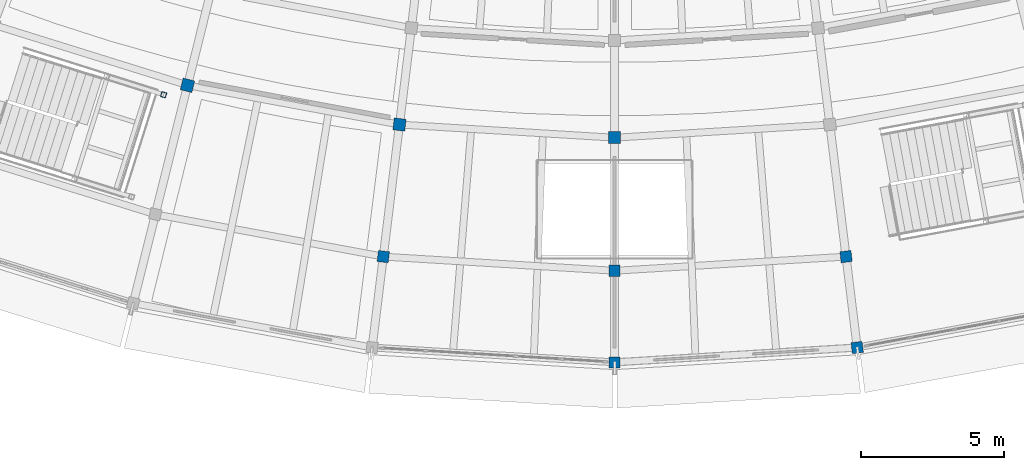
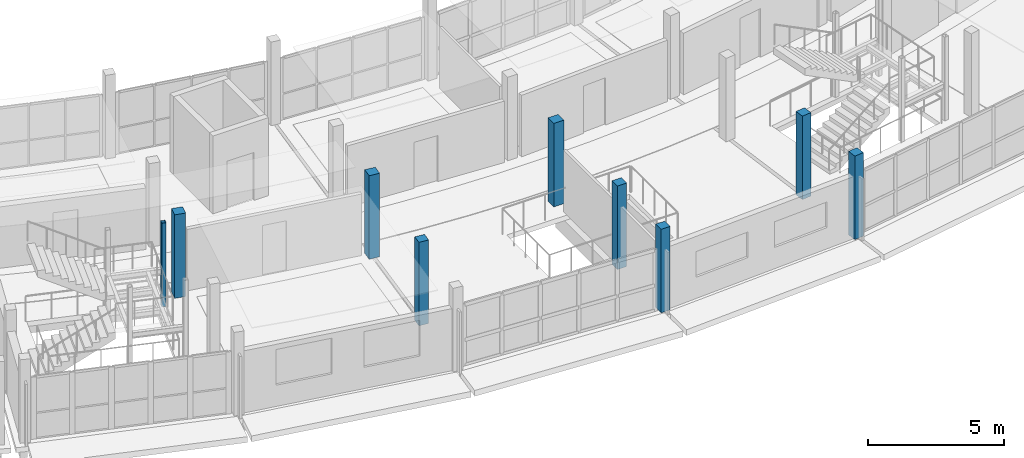
# One storey, part 6 of 66: 9 columns.
"""IFC4 building model written with IfcOpenShell, lengths in metres."""

import ifcopenshell
import ifcopenshell.guid

model = None  # the IFC model being written
_history = None  # IfcOwnerHistory: only IFC2X3 demands one
_inside = {}  # id of a spatial element -> (the spatial element, [elements in it])
_under = {}  # id of a project, library or spatial element -> (it, [spatial elements below it])
_declared = {}  # id of a project -> (the project, [libraries it declares])
_typed = {}  # id of a type object -> (the type object, [elements of that type])
_made_of = {}  # id of a material, layer set ... -> (it, [elements and type objects made of it])


def new_model(schema):
    """Start an empty IFC model of exactly this schema.

    Asked for "IFC4X3", IfcOpenShell would pick the latest addendum, in which some entities
    have other attributes; the version numbers below select the first issue.
    IFC2X3 requires an IfcOwnerHistory on every rooted entity: one is made here for all.
    """
    global model, _history
    if schema == "IFC4X3":
        model = ifcopenshell.file(schema_version=(4, 3, 0, 0))
    else:
        model = ifcopenshell.file(schema=schema)
    _inside.clear()
    _under.clear()
    _declared.clear()
    _typed.clear()
    _made_of.clear()
    _history = None
    if model.schema == "IFC2X3":
        org = make("IfcOrganization", Name="unknown")
        user = make(
            "IfcPersonAndOrganization",
            ThePerson=make("IfcPerson", FamilyName="unknown"),
            TheOrganization=org,
        )
        app = make(
            "IfcApplication",
            ApplicationDeveloper=org,
            Version="unknown",
            ApplicationFullName="unknown",
            ApplicationIdentifier="unknown",
        )
        _history = make(
            "IfcOwnerHistory",
            OwningUser=user,
            OwningApplication=app,
            ChangeAction="ADDED",
            CreationDate=0,
        )
    return model


def make(cls, **values):
    """One entity of the class cls with the attributes given. An attribute that is None is left unset."""
    return model.create_entity(
        cls, **{name: value for name, value in values.items() if value is not None}
    )


def rooted(cls, **values):
    """An entity with a GlobalId (a new one), such as an element, a storey or a relation."""
    return make(cls, GlobalId=ifcopenshell.guid.new(), OwnerHistory=_history, **values)


def si_unit(unit_type, name, prefix=None):
    """IfcSIUnit, for example si_unit("LENGTHUNIT", "METRE", prefix="MILLI")."""
    return make("IfcSIUnit", UnitType=unit_type, Prefix=prefix, Name=name)


def assignment(units):
    """IfcUnitAssignment: the units of a project."""
    return None if units is None else make("IfcUnitAssignment", Units=units)


def point(xyz):
    """IfcCartesianPoint."""
    return None if xyz is None else make("IfcCartesianPoint", Coordinates=xyz)


def direction(xyz):
    """IfcDirection."""
    return None if xyz is None else make("IfcDirection", DirectionRatios=xyz)


def frame(location, z_axis=None, x_axis=None):
    """IfcAxis2Placement3D, a coordinate frame: its origin and axes. An axis left out is left unset."""
    return make(
        "IfcAxis2Placement3D",
        Location=point(location),
        Axis=direction(z_axis),
        RefDirection=direction(x_axis),
    )


def frame_2d(location, x_axis=None):
    """IfcAxis2Placement2D, a coordinate frame in the plane: its origin and x axis."""
    return make(
        "IfcAxis2Placement2D", Location=point(location), RefDirection=direction(x_axis)
    )


def origin():
    """The frame at (0, 0, 0) with its axes left unset."""
    return frame((0.0, 0.0, 0.0))


def origin_2d():
    """The frame at (0, 0) in the plane with its x axis left unset."""
    return frame_2d((0.0, 0.0))


def place(relative_to, where):
    """IfcLocalPlacement: puts the frame where relative to a parent placement (None: the world)."""
    return make(
        "IfcLocalPlacement", PlacementRelTo=relative_to, RelativePlacement=where
    )


def context(
    kind, dimensions, precision=None, world=None, true_north=None, identifier=None
):
    """IfcGeometricRepresentationContext, for example the 3D "Model" context."""
    return make(
        "IfcGeometricRepresentationContext",
        ContextIdentifier=identifier,
        ContextType=kind,
        CoordinateSpaceDimension=dimensions,
        Precision=precision,
        WorldCoordinateSystem=world,
        TrueNorth=true_north,
    )


def subcontext(parent, identifier, kind, view, scale=None):
    """IfcGeometricRepresentationSubContext, for example "Body" below "Model"."""
    return make(
        "IfcGeometricRepresentationSubContext",
        ContextIdentifier=identifier,
        ContextType=kind,
        ParentContext=parent,
        TargetScale=scale,
        TargetView=view,
    )


def project(units=None, contexts=None):
    """IfcProject with its units and contexts."""
    return rooted(
        "IfcProject",
        Name="project",
        RepresentationContexts=contexts,
        UnitsInContext=assignment(units),
    )


def spatial(cls, under=None, at=None, **own):
    """A site, building, storey or space (cls), placed at a placement, below another one or the project."""
    s = rooted(cls, ObjectPlacement=at, **own)
    if under is not None:
        _under.setdefault(under.id(), (under, []))[1].append(s)
    return s


def profile(cls, at=None, kind="AREA", **sizes):
    """A parametric profile (cls). Its sizes go by their IFC names, for example OverallWidth=200.0."""
    return make(cls, ProfileType=kind, Position=at, **sizes)


def rectangle(**sizes):
    """IfcRectangleProfileDef."""
    return profile("IfcRectangleProfileDef", **sizes)


def hollow_rectangle(**sizes):
    """IfcRectangleHollowProfileDef."""
    return profile("IfcRectangleHollowProfileDef", **sizes)


def extrude(swept, where, along, depth):
    """IfcExtrudedAreaSolid: the profile swept, set in the frame where, extruded along a direction by depth."""
    return make(
        "IfcExtrudedAreaSolid",
        SweptArea=swept,
        Position=where,
        ExtrudedDirection=direction(along),
        Depth=depth,
    )


def shape(context_of_items, identifier, shape_type, items):
    """IfcShapeRepresentation: the items that make up one representation, for example the "Body"."""
    return make(
        "IfcShapeRepresentation",
        ContextOfItems=context_of_items,
        RepresentationIdentifier=identifier,
        RepresentationType=shape_type,
        Items=items,
    )


def material(Name=None, Category=None):
    """IfcMaterial."""
    return make("IfcMaterial", Name=Name, Category=Category)


def material_profile(
    of_material, cross_section, Name=None, Category=None, Priority=None
):
    """IfcMaterialProfile: a cross section and its material."""
    return make(
        "IfcMaterialProfile",
        Name=Name,
        Material=of_material,
        Profile=cross_section,
        Priority=Priority,
        Category=Category,
    )


def profile_set(profiles, Name=None, composite=None):
    """IfcMaterialProfileSet."""
    return make(
        "IfcMaterialProfileSet",
        Name=Name,
        MaterialProfiles=profiles,
        CompositeProfile=composite,
    )


def made_of(thing, what):
    """Note that an element or type object is made of a material, layer set ...; save() writes the relation."""
    if what is not None:
        _made_of.setdefault(what.id(), (what, []))[1].append(thing)
    return thing


def type_object(cls, material=None, **own):
    """A type object (cls), such as IfcWallType, which elements share."""
    return made_of(rooted(cls, **own), material)


def element(
    cls,
    number,
    at=None,
    inside=None,
    cuts=None,
    type_object=None,
    material=None,
    context=None,
    identifier="Body",
    shape_type=None,
    held_by="IfcProductDefinitionShape",
    body=None,
    shapes=None,
    **own,
):
    """One element of the class cls, such as IfcWall. Its Tag is "e" and its number.

    at: its placement. inside: the storey or other place that contains it. cuts: it is an
    opening in that element (IfcRelVoidsElement). A single representation is given by context,
    identifier, shape_type and body (its items); several are given by shapes. held_by: the class
    of the entity that holds the representations. save() writes the other relations.
    """
    e = rooted(cls, Tag="e%d" % number, ObjectPlacement=at, **own)
    if body is not None:
        shapes = [shape(context, identifier, shape_type, body)]
    if shapes is not None:
        e.Representation = make(held_by, Representations=shapes)
    if inside is not None:
        _inside.setdefault(inside.id(), (inside, []))[1].append(e)
    if cuts is not None:
        rooted(
            "IfcRelVoidsElement", RelatingBuildingElement=cuts, RelatedOpeningElement=e
        )
    if type_object is not None:
        _typed.setdefault(type_object.id(), (type_object, []))[1].append(e)
    return made_of(e, material)


def aggregate(whole, parts):
    """IfcRelAggregates: a whole, such as a stair, and the parts it consists of."""
    return rooted("IfcRelAggregates", RelatingObject=whole, RelatedObjects=parts)


def save(model, path):
    """Write the relations noted so far, then the file.

    IfcRelAggregates (storeys below a building ...), IfcRelContainedInSpatialStructure (elements
    in a storey), IfcRelDefinesByType, IfcRelAssociatesMaterial and IfcRelDeclares: one each for
    every whole, place, type object, material and project.
    """
    for whole, parts in _under.values():
        aggregate(whole, parts)
    for where, things in _inside.values():
        rooted(
            "IfcRelContainedInSpatialStructure",
            RelatedElements=things,
            RelatingStructure=where,
        )
    for kind, things in _typed.values():
        rooted("IfcRelDefinesByType", RelatedObjects=things, RelatingType=kind)
    for what, things in _made_of.values():
        rooted("IfcRelAssociatesMaterial", RelatedObjects=things, RelatingMaterial=what)
    for by, libraries in _declared.values():
        rooted("IfcRelDeclares", RelatingContext=by, RelatedDefinitions=libraries)
    model.write(path)


model = new_model("IFC4")

# Units and contexts
model_context = context("Model", 3, precision=1e-05, world=origin(), true_north=direction((0.0, 1.0)))
body_context = subcontext(model_context, "Body", "Model", "MODEL_VIEW")
ifc_project = project(units=[si_unit("LENGTHUNIT", "METRE"), si_unit("AREAUNIT", "SQUARE_METRE"), si_unit("VOLUMEUNIT", "CUBIC_METRE"), si_unit("PLANEANGLEUNIT", "RADIAN"), si_unit("MASSUNIT", "GRAM", prefix="KILO")], contexts=[model_context])

# Site, building, storey
site_placement = place(None, origin())
site = spatial("IfcSite", under=ifc_project, at=site_placement, CompositionType="ELEMENT")
building_placement = place(site_placement, origin())
building = spatial("IfcBuilding", under=site, at=building_placement, Name="Caldaven Crescent School", CompositionType="ELEMENT")
storey_placement = place(building_placement, frame((0.0, 0.0, 8.159912109375)))
storey = spatial("IfcBuildingStorey", under=building, at=storey_placement, Name="L02", CompositionType="ELEMENT", Elevation=8.159912109375)

# Columns
ifc_material_1 = material(Name="Glulam MLE24h (GL28h)", Category="wood")
ifc_material_profile_1 = material_profile(ifc_material_1, rectangle(XDim=0.389892578125, YDim=0.389892578125, at=origin_2d()), Name="MLE 390x390")
ifc_profile_set_1 = profile_set([ifc_material_profile_1], Name="Glulam MLE24h (GL28h)")
column_type_1 = type_object("IfcColumnType", Name="COL-GL39", PredefinedType="COLUMN", material=ifc_profile_set_1)
for number, where, z_axis, x_axis, name in (
    (1, (79.9140625, 30.14453125, 0.0), (0.0, 0.0, 1.0), (-0.121869343405, -0.992546151641, 0.0), "COL-V5-L02-02-3"),
    (2, (88.0, 29.64990234375, 0.0), (0.0, 0.0, 1.0), (0.0, -1.0, 0.0), "COL-V5-L02-03-3"),
    (3, (88.0, 26.449951171875, 0.0), (0.0, 0.0, 1.0), (0.0, -1.0, 0.0), "COL-V5-L02-03-4"),
    (4, (96.0859375, 30.14453125, 0.0), (0.0, 0.0, 1.0), (0.121869343405, -0.992546151641, 0.0), "COL-V5-L02-04-3"),
    (5, (96.47607421875, 26.968505859375, 0.0), (0.0, 0.0, 1.0), (0.121869343405, -0.992546151641, 0.0), "COL-V5-L02-04-4"),
):
    element("IfcColumn", number, at=place(storey_placement, frame(where, z_axis=z_axis, x_axis=x_axis)), inside=storey, type_object=column_type_1, Name=name, PredefinedType="COLUMN", context=body_context, shape_type="SweptSolid", body=[
        extrude(rectangle(XDim=0.389892578125, YDim=0.389892578125, at=origin_2d()), origin(), (0.0, 0.0, 1.0), 3.739990234375),
    ])
ifc_material_profile_2 = material_profile(ifc_material_1, rectangle(XDim=0.419921875, YDim=0.419921875, at=origin_2d()), Name="MLE 420x420")
ifc_profile_set_2 = profile_set([ifc_material_profile_2], Name="Glulam MLE24h (GL28h)")
column_type_2 = type_object("IfcColumnType", Name="COL-GL42", PredefinedType="COLUMN", material=ifc_profile_set_2)
for number, where, z_axis, x_axis, name in (
    (6, (73.073486328125, 36.1328125, 0.0), (0.0, 0.0, 1.0), (-0.2419218956, -0.970295726276, 0.0), "COL-V5-L02-01-2"),
    (7, (80.480712890625, 34.760009765625, 0.0), (0.0, 0.0, 1.0), (-0.121869343405, -0.992546151641, 0.0), "COL-V5-L02-02-2"),
    (8, (88.0, 34.300048828125, 0.0), (0.0, 0.0, 1.0), (0.0, -1.0, 0.0), "COL-V5-L02-03-2"),
):
    element("IfcColumn", number, at=place(storey_placement, frame(where, z_axis=z_axis, x_axis=x_axis)), inside=storey, type_object=column_type_2, Name=name, PredefinedType="COLUMN", context=body_context, shape_type="SweptSolid", body=[
        extrude(rectangle(XDim=0.419921875, YDim=0.419921875, at=origin_2d()), origin(), (0.0, 0.0, 1.0), 3.739990234375),
    ])
ifc_material_2 = material(Name="Steel ASTM A572 Grade 50", Category="steel")
ifc_material_profile_3 = material_profile(ifc_material_2, hollow_rectangle(XDim=0.179931640625, YDim=0.179931640625, WallThickness=0.010009765625, InnerFilletRadius=0.010009765625, OuterFilletRadius=0.02001953125, at=origin_2d()), Name="HSS 180x180x10")
ifc_profile_set_3 = profile_set([ifc_material_profile_3], Name="Steel ASTM A572 Grade 50")
column_type_3 = type_object("IfcColumnType", Name="COL-HS18", PredefinedType="COLUMN", material=ifc_profile_set_3)
column_placement = place(storey_placement, frame((72.239013671875, 35.80322265625, 0.0), z_axis=(0.0, 0.0, 1.0), x_axis=(0.953716950748, -0.300705799504, 0.0)))
element("IfcColumn", 9, at=column_placement, inside=storey, type_object=column_type_3, Name="COL-STPOST-ST2-L02-D", PredefinedType="COLUMN", context=body_context, shape_type="SweptSolid", body=[
    extrude(hollow_rectangle(XDim=0.179931640625, YDim=0.179931640625, WallThickness=0.010009765625, InnerFilletRadius=0.010009765625, OuterFilletRadius=0.02001953125, at=origin_2d()), origin(), (0.0, 0.0, 1.0), 3.739990234375),
])

save(model, "model.ifc")
